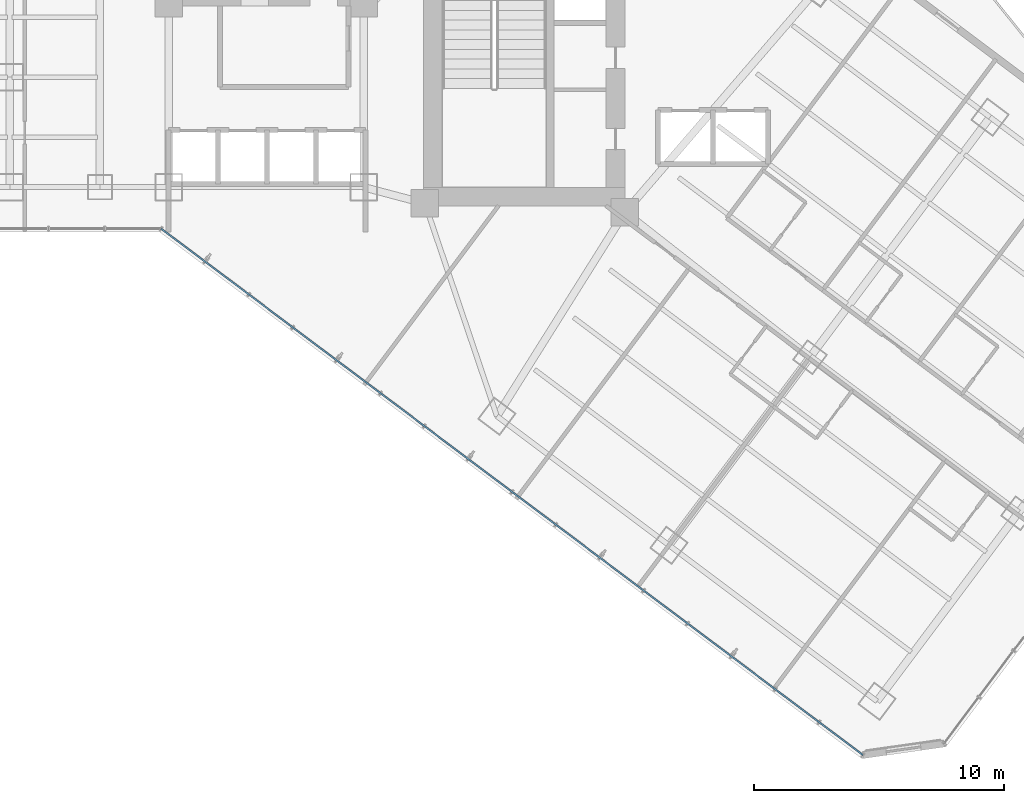
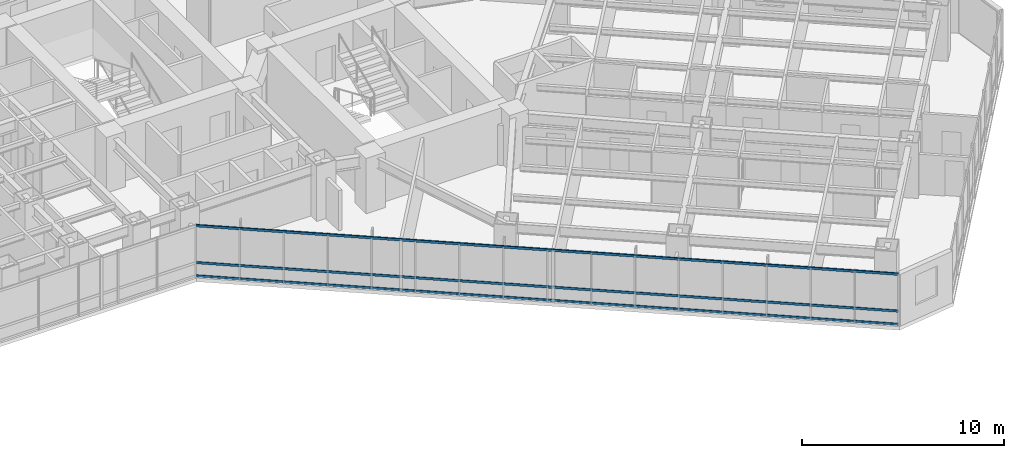
# One storey, part 10 of 38: 3 members, 1 element without a shape of its own.
"""IFC4 building model written with IfcOpenShell, lengths in metres."""

from ifc_helpers import new_model, si_unit, direction, frame, origin, origin_2d, place, context, subcontext, project, spatial, hollow_rectangle, extrude, material, layer, layer_set, material_profile, profile_set, type_object, element, aggregate, save


model = new_model("IFC4")

# Units and contexts
model_context = context("Model", 3, precision=1e-05, world=origin(), true_north=direction((0.0, 1.0)))
body_context = subcontext(model_context, "Body", "Model", "MODEL_VIEW")
ifc_project = project(units=[si_unit("LENGTHUNIT", "METRE"), si_unit("AREAUNIT", "SQUARE_METRE"), si_unit("VOLUMEUNIT", "CUBIC_METRE"), si_unit("PLANEANGLEUNIT", "RADIAN"), si_unit("MASSUNIT", "GRAM", prefix="KILO")], contexts=[model_context])

# Site, building, storey
site_placement = place(None, origin())
site = spatial("IfcSite", under=ifc_project, at=site_placement, CompositionType="ELEMENT")
building_placement = place(site_placement, origin())
building = spatial("IfcBuilding", under=site, at=building_placement, Name="Hatsunagi Terrace Concourse", CompositionType="ELEMENT")
storey_placement = place(building_placement, frame((0.0, 0.0, 63.39990234375)))
storey = spatial("IfcBuildingStorey", under=building, at=storey_placement, Name="L16", CompositionType="ELEMENT", Elevation=63.39990234375)

# Curtain wall, members
ifc_material_1 = material(Name="Anodised Aluminium Alloy 6063-T5", Category="aluminium")
ifc_layer = layer(ifc_material_1, 0.199951171875)
ifc_layer_set = layer_set([ifc_layer], Name="HotelFacade_CW02")
curtain_wall_type = type_object("IfcCurtainWallType", Name="HotelFacade_CW02", PredefinedType="NOTDEFINED", material=ifc_layer_set)
curtain_wall_placement = place(storey_placement, origin())
curtain_wall = element("IfcCurtainWall", 1, at=curtain_wall_placement, inside=storey, type_object=curtain_wall_type, Name="Unitised Curtain Wall CW-02 CW-L16-05", PredefinedType="NOTDEFINED")
ifc_material_2 = material(Name="Anodised Aluminium Alloy 6063-T5", Category="aluminium")
ifc_material_profile = material_profile(ifc_material_2, hollow_rectangle(XDim=0.06494140625, YDim=0.139892578125, WallThickness=0.00390625, at=origin_2d()), Name="ALU-TRN-140x65x4")
ifc_profile_set = profile_set([ifc_material_profile], Name="Anodised Aluminium Alloy 6063-T5")
member_type = type_object("IfcMemberType", Name="CurtainWallTransom_140x65", PredefinedType="USERDEFINED", material=ifc_profile_set)
member_1_placement = place(storey_placement, frame((53.318115234375, 2.487060546875, 0.050048828125), z_axis=(-0.800004174678, 0.599994433723, 0.0), x_axis=(-0.599994433723, -0.800004174678, 0.0)))
member_1 = element("IfcMember", 2, at=member_1_placement, type_object=member_type, Name="Curtain Wall Transom TRN-02", ObjectType="TRANSOM", PredefinedType="USERDEFINED", context=body_context, shape_type="SweptSolid", body=[
    extrude(hollow_rectangle(XDim=0.06494140625, YDim=0.139892578125, WallThickness=0.00390625, at=origin_2d()), origin(), (0.0, 0.0, 1.0), 35.088623046875),
])
member_2_placement = place(storey_placement, frame((53.318115234375, 2.487060546875, 0.85009765625), z_axis=(-0.800004174678, 0.599994433723, 0.0), x_axis=(-0.599994433723, -0.800004174678, 0.0)))
member_2 = element("IfcMember", 3, at=member_2_placement, type_object=member_type, Name="Curtain Wall Transom TRN-02", ObjectType="TRANSOM", PredefinedType="USERDEFINED", context=body_context, shape_type="SweptSolid", body=[
    extrude(hollow_rectangle(XDim=0.06494140625, YDim=0.139892578125, WallThickness=0.00390625, at=origin_2d()), origin(), (0.0, 0.0, 1.0), 35.088623046875),
])
member_3_placement = place(storey_placement, frame((53.318115234375, 2.487060546875, 3.080078125), z_axis=(-0.800004174678, 0.599994433723, 0.0), x_axis=(-0.599994433723, -0.800004174678, 0.0)))
member_3 = element("IfcMember", 4, at=member_3_placement, type_object=member_type, Name="Curtain Wall Transom TRN-02", ObjectType="TRANSOM", PredefinedType="USERDEFINED", context=body_context, shape_type="SweptSolid", body=[
    extrude(hollow_rectangle(XDim=0.06494140625, YDim=0.139892578125, WallThickness=0.00390625, at=origin_2d()), origin(), (0.0, 0.0, 1.0), 35.088623046875),
])
aggregate(curtain_wall, [member_1, member_2, member_3])

save(model, "model.ifc")
